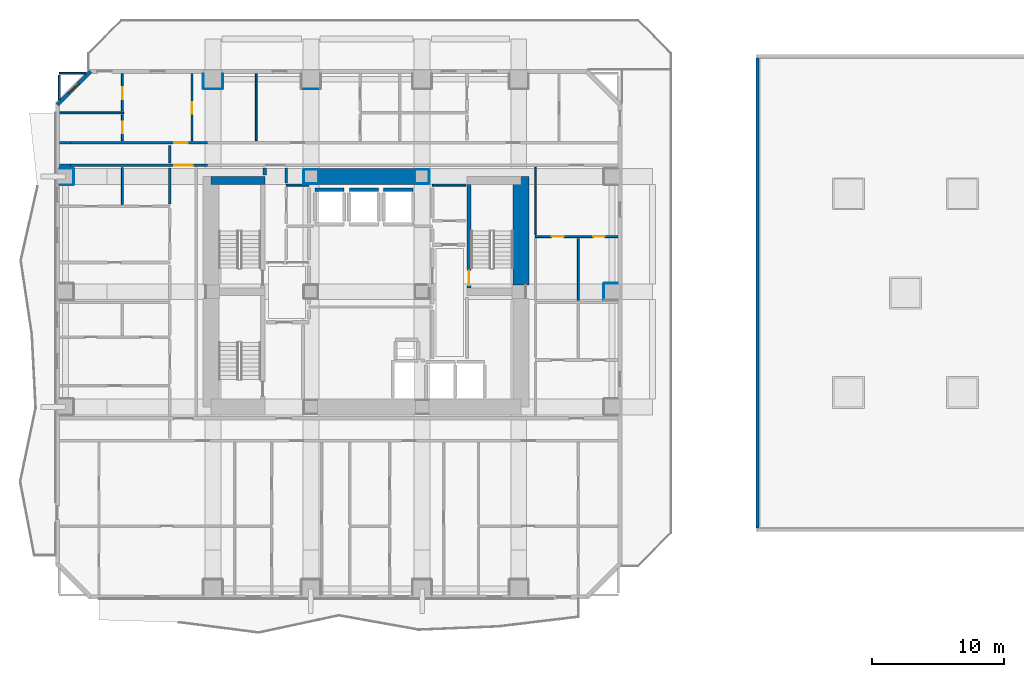
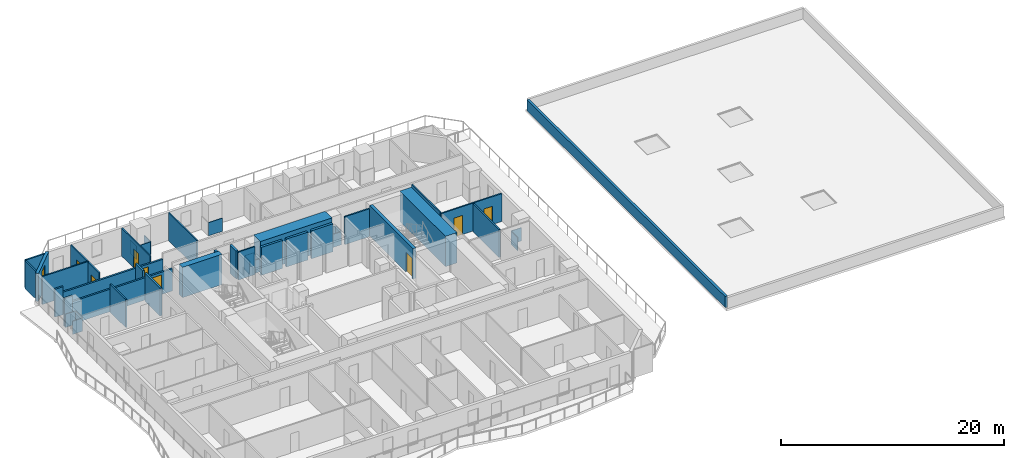
# One storey, part 7 of 13: 45 walls, 8 doors, 1 window, 9 openings.
"""IFC4 building model written with IfcOpenShell, lengths in metres."""

import ifcopenshell
import ifcopenshell.guid

model = None  # the IFC model being written
_history = None  # IfcOwnerHistory: only IFC2X3 demands one
_inside = {}  # id of a spatial element -> (the spatial element, [elements in it])
_under = {}  # id of a project, library or spatial element -> (it, [spatial elements below it])
_declared = {}  # id of a project -> (the project, [libraries it declares])
_typed = {}  # id of a type object -> (the type object, [elements of that type])
_made_of = {}  # id of a material, layer set ... -> (it, [elements and type objects made of it])


def new_model(schema):
    """Start an empty IFC model of exactly this schema.

    Asked for "IFC4X3", IfcOpenShell would pick the latest addendum, in which some entities
    have other attributes; the version numbers below select the first issue.
    IFC2X3 requires an IfcOwnerHistory on every rooted entity: one is made here for all.
    """
    global model, _history
    if schema == "IFC4X3":
        model = ifcopenshell.file(schema_version=(4, 3, 0, 0))
    else:
        model = ifcopenshell.file(schema=schema)
    _inside.clear()
    _under.clear()
    _declared.clear()
    _typed.clear()
    _made_of.clear()
    _history = None
    if model.schema == "IFC2X3":
        org = make("IfcOrganization", Name="unknown")
        user = make(
            "IfcPersonAndOrganization",
            ThePerson=make("IfcPerson", FamilyName="unknown"),
            TheOrganization=org,
        )
        app = make(
            "IfcApplication",
            ApplicationDeveloper=org,
            Version="unknown",
            ApplicationFullName="unknown",
            ApplicationIdentifier="unknown",
        )
        _history = make(
            "IfcOwnerHistory",
            OwningUser=user,
            OwningApplication=app,
            ChangeAction="ADDED",
            CreationDate=0,
        )
    return model


def make(cls, **values):
    """One entity of the class cls with the attributes given. An attribute that is None is left unset."""
    return model.create_entity(
        cls, **{name: value for name, value in values.items() if value is not None}
    )


def rooted(cls, **values):
    """An entity with a GlobalId (a new one), such as an element, a storey or a relation."""
    return make(cls, GlobalId=ifcopenshell.guid.new(), OwnerHistory=_history, **values)


def si_unit(unit_type, name, prefix=None):
    """IfcSIUnit, for example si_unit("LENGTHUNIT", "METRE", prefix="MILLI")."""
    return make("IfcSIUnit", UnitType=unit_type, Prefix=prefix, Name=name)


def assignment(units):
    """IfcUnitAssignment: the units of a project."""
    return None if units is None else make("IfcUnitAssignment", Units=units)


def point(xyz):
    """IfcCartesianPoint."""
    return None if xyz is None else make("IfcCartesianPoint", Coordinates=xyz)


def direction(xyz):
    """IfcDirection."""
    return None if xyz is None else make("IfcDirection", DirectionRatios=xyz)


def frame(location, z_axis=None, x_axis=None):
    """IfcAxis2Placement3D, a coordinate frame: its origin and axes. An axis left out is left unset."""
    return make(
        "IfcAxis2Placement3D",
        Location=point(location),
        Axis=direction(z_axis),
        RefDirection=direction(x_axis),
    )


def frame_2d(location, x_axis=None):
    """IfcAxis2Placement2D, a coordinate frame in the plane: its origin and x axis."""
    return make(
        "IfcAxis2Placement2D", Location=point(location), RefDirection=direction(x_axis)
    )


def origin():
    """The frame at (0, 0, 0) with its axes left unset."""
    return frame((0.0, 0.0, 0.0))


def place(relative_to, where):
    """IfcLocalPlacement: puts the frame where relative to a parent placement (None: the world)."""
    return make(
        "IfcLocalPlacement", PlacementRelTo=relative_to, RelativePlacement=where
    )


def context(
    kind, dimensions, precision=None, world=None, true_north=None, identifier=None
):
    """IfcGeometricRepresentationContext, for example the 3D "Model" context."""
    return make(
        "IfcGeometricRepresentationContext",
        ContextIdentifier=identifier,
        ContextType=kind,
        CoordinateSpaceDimension=dimensions,
        Precision=precision,
        WorldCoordinateSystem=world,
        TrueNorth=true_north,
    )


def subcontext(parent, identifier, kind, view, scale=None):
    """IfcGeometricRepresentationSubContext, for example "Body" below "Model"."""
    return make(
        "IfcGeometricRepresentationSubContext",
        ContextIdentifier=identifier,
        ContextType=kind,
        ParentContext=parent,
        TargetScale=scale,
        TargetView=view,
    )


def project(units=None, contexts=None):
    """IfcProject with its units and contexts."""
    return rooted(
        "IfcProject",
        Name="project",
        RepresentationContexts=contexts,
        UnitsInContext=assignment(units),
    )


def spatial(cls, under=None, at=None, **own):
    """A site, building, storey or space (cls), placed at a placement, below another one or the project."""
    s = rooted(cls, ObjectPlacement=at, **own)
    if under is not None:
        _under.setdefault(under.id(), (under, []))[1].append(s)
    return s


def profile(cls, at=None, kind="AREA", **sizes):
    """A parametric profile (cls). Its sizes go by their IFC names, for example OverallWidth=200.0."""
    return make(cls, ProfileType=kind, Position=at, **sizes)


def rectangle(**sizes):
    """IfcRectangleProfileDef."""
    return profile("IfcRectangleProfileDef", **sizes)


def extrude(swept, where, along, depth):
    """IfcExtrudedAreaSolid: the profile swept, set in the frame where, extruded along a direction by depth."""
    return make(
        "IfcExtrudedAreaSolid",
        SweptArea=swept,
        Position=where,
        ExtrudedDirection=direction(along),
        Depth=depth,
    )


def shape(context_of_items, identifier, shape_type, items):
    """IfcShapeRepresentation: the items that make up one representation, for example the "Body"."""
    return make(
        "IfcShapeRepresentation",
        ContextOfItems=context_of_items,
        RepresentationIdentifier=identifier,
        RepresentationType=shape_type,
        Items=items,
    )


def material(Name=None, Category=None):
    """IfcMaterial."""
    return make("IfcMaterial", Name=Name, Category=Category)


def layer(
    of_material, thickness, ventilated=None, Name=None, Category=None, Priority=None
):
    """IfcMaterialLayer: one layer of a wall or slab, of a material (None: an air gap)."""
    return make(
        "IfcMaterialLayer",
        Material=of_material,
        LayerThickness=thickness,
        IsVentilated=ventilated,
        Name=Name,
        Category=Category,
        Priority=Priority,
    )


def layer_set(layers, Name=None):
    """IfcMaterialLayerSet."""
    return make("IfcMaterialLayerSet", MaterialLayers=layers, LayerSetName=Name)


def made_of(thing, what):
    """Note that an element or type object is made of a material, layer set ...; save() writes the relation."""
    if what is not None:
        _made_of.setdefault(what.id(), (what, []))[1].append(thing)
    return thing


def type_object(cls, material=None, **own):
    """A type object (cls), such as IfcWallType, which elements share."""
    return made_of(rooted(cls, **own), material)


def element(
    cls,
    number,
    at=None,
    inside=None,
    cuts=None,
    type_object=None,
    material=None,
    context=None,
    identifier="Body",
    shape_type=None,
    held_by="IfcProductDefinitionShape",
    body=None,
    shapes=None,
    **own,
):
    """One element of the class cls, such as IfcWall. Its Tag is "e" and its number.

    at: its placement. inside: the storey or other place that contains it. cuts: it is an
    opening in that element (IfcRelVoidsElement). A single representation is given by context,
    identifier, shape_type and body (its items); several are given by shapes. held_by: the class
    of the entity that holds the representations. save() writes the other relations.
    """
    e = rooted(cls, Tag="e%d" % number, ObjectPlacement=at, **own)
    if body is not None:
        shapes = [shape(context, identifier, shape_type, body)]
    if shapes is not None:
        e.Representation = make(held_by, Representations=shapes)
    if inside is not None:
        _inside.setdefault(inside.id(), (inside, []))[1].append(e)
    if cuts is not None:
        rooted(
            "IfcRelVoidsElement", RelatingBuildingElement=cuts, RelatedOpeningElement=e
        )
    if type_object is not None:
        _typed.setdefault(type_object.id(), (type_object, []))[1].append(e)
    return made_of(e, material)


def fill(opening, filler):
    """IfcRelFillsElement: the door or window that sits in an opening."""
    return rooted(
        "IfcRelFillsElement",
        RelatingOpeningElement=opening,
        RelatedBuildingElement=filler,
    )


def aggregate(whole, parts):
    """IfcRelAggregates: a whole, such as a stair, and the parts it consists of."""
    return rooted("IfcRelAggregates", RelatingObject=whole, RelatedObjects=parts)


def save(model, path):
    """Write the relations noted so far, then the file.

    IfcRelAggregates (storeys below a building ...), IfcRelContainedInSpatialStructure (elements
    in a storey), IfcRelDefinesByType, IfcRelAssociatesMaterial and IfcRelDeclares: one each for
    every whole, place, type object, material and project.
    """
    for whole, parts in _under.values():
        aggregate(whole, parts)
    for where, things in _inside.values():
        rooted(
            "IfcRelContainedInSpatialStructure",
            RelatedElements=things,
            RelatingStructure=where,
        )
    for kind, things in _typed.values():
        rooted("IfcRelDefinesByType", RelatedObjects=things, RelatingType=kind)
    for what, things in _made_of.values():
        rooted("IfcRelAssociatesMaterial", RelatedObjects=things, RelatingMaterial=what)
    for by, libraries in _declared.values():
        rooted("IfcRelDeclares", RelatingContext=by, RelatedDefinitions=libraries)
    model.write(path)


model = new_model("IFC4")

# Units and contexts
model_context = context("Model", 3, precision=1e-05, world=origin(), true_north=direction((0.0, 1.0)))
body_context = subcontext(model_context, "Body", "Model", "MODEL_VIEW")
ifc_project = project(units=[si_unit("LENGTHUNIT", "METRE"), si_unit("AREAUNIT", "SQUARE_METRE"), si_unit("VOLUMEUNIT", "CUBIC_METRE"), si_unit("PLANEANGLEUNIT", "RADIAN"), si_unit("MASSUNIT", "GRAM", prefix="KILO")], contexts=[model_context])

# Site, building, storey
site_placement = place(None, origin())
site = spatial("IfcSite", under=ifc_project, at=site_placement, CompositionType="ELEMENT")
building_placement = place(site_placement, origin())
building = spatial("IfcBuilding", under=site, at=building_placement, Name="Solanera Arch Residences", CompositionType="ELEMENT")
storey_placement = place(building_placement, frame((0.0, 0.0, 22.0)))
storey = spatial("IfcBuildingStorey", under=building, at=storey_placement, Name="L05", CompositionType="ELEMENT", Elevation=22.0)

# Walls
ifc_material_1 = material(Name="Fire-Rated Gypsum Stud Partition", Category="gypsum")
ifc_layer_1 = layer(ifc_material_1, 0.06005859375)
ifc_layer_set_1 = layer_set([ifc_layer_1], Name="Fire-Rated Gypsum Stud Partition")
wall_type_1 = type_object("IfcWallType", Name="Column Acoustic Furring Wall 60", PredefinedType="PARTITIONING", material=ifc_layer_set_1)
for number, where, z_axis, x_axis, name in (
    (1, (20.300048828125, 38.867919921875, 0.0), (0.0, 0.0, 1.0), (1.0, 0.0, 0.0), "L05 Column Furring 3S"),
    (2, (20.300048828125, 39.931884765625, 0.0), (0.0, 0.0, 1.0), (1.0, 0.0, 0.0), "L05 Column Furring 3N"),
):
    element("IfcWall", number, at=place(storey_placement, frame(where, z_axis=z_axis, x_axis=x_axis)), inside=storey, type_object=wall_type_1, Name=name, PredefinedType="PARTITIONING", context=body_context, shape_type="SweptSolid", body=[
        extrude(rectangle(XDim=0.989990234375, YDim=0.06005859375, at=frame_2d((0.4951171875, 0.0))), origin(), (0.0, 0.0, 1.0), 1.449951171875),
    ])
wall_1_placement = place(storey_placement, frame((20.26806640625, 38.89990234375, 0.0), z_axis=(0.0, 0.0, 1.0), x_axis=(0.0, 1.0, 0.0)))
element("IfcWall", 3, at=wall_1_placement, inside=storey, type_object=wall_type_1, Name="L05 Column Furring 3W", PredefinedType="PARTITIONING", context=body_context, shape_type="SweptSolid", body=[
    extrude(rectangle(XDim=1.0, YDim=0.06005859375, at=frame_2d((0.5, 0.0))), origin(), (0.0, 0.0, 1.0), 1.449951171875),
])
for number, where, z_axis, x_axis, name in (
    (4, (28.7099609375, 38.867919921875, 0.0), (0.0, 0.0, 1.0), (1.0, 0.0, 0.0), "L05 Column Furring 4S"),
    (5, (28.7099609375, 39.931884765625, 0.0), (0.0, 0.0, 1.0), (1.0, 0.0, 0.0), "L05 Column Furring 4N"),
):
    element("IfcWall", number, at=place(storey_placement, frame(where, z_axis=z_axis, x_axis=x_axis)), inside=storey, type_object=wall_type_1, Name=name, PredefinedType="PARTITIONING", context=body_context, shape_type="SweptSolid", body=[
        extrude(rectangle(XDim=0.989990234375, YDim=0.06005859375, at=frame_2d((0.4951171875, 0.0))), origin(), (0.0, 0.0, 1.0), 1.449951171875),
    ])
wall_2_placement = place(storey_placement, frame((29.73193359375, 38.89990234375, 0.0), z_axis=(0.0, 0.0, 1.0), x_axis=(0.0, 1.0, 0.0)))
element("IfcWall", 6, at=wall_2_placement, inside=storey, type_object=wall_type_1, Name="L05 Column Furring 4E", PredefinedType="PARTITIONING", context=body_context, shape_type="SweptSolid", body=[
    extrude(rectangle(XDim=1.0, YDim=0.06005859375, at=frame_2d((0.5, 0.0))), origin(), (0.0, 0.0, 1.0), 1.449951171875),
])
wall_3_placement = place(storey_placement, frame((12.699951171875, 46.01806640625, 0.0), z_axis=(0.0, 0.0, 1.0), x_axis=(1.0, 0.0, 0.0)))
element("IfcWall", 7, at=wall_3_placement, inside=storey, type_object=wall_type_1, Name="L05 Column Furring 10S", PredefinedType="PARTITIONING", context=body_context, shape_type="SweptSolid", body=[
    extrude(rectangle(XDim=1.400146484375, YDim=0.06005859375, at=frame_2d((0.7001953125, 0.0))), origin(), (0.0, 0.0, 1.0), 1.449951171875),
])
for number, where, z_axis, x_axis, name in (
    (8, (12.66796875, 46.050048828125, 0.0), (0.0, 0.0, 1.0), (0.0, 1.0, 0.0), "L05 Column Furring 10W"),
    (9, (14.132080078125, 46.050048828125, 0.0), (0.0, 0.0, 1.0), (0.0, 1.0, 0.0), "L05 Column Furring 10E"),
):
    element("IfcWall", number, at=place(storey_placement, frame(where, z_axis=z_axis, x_axis=x_axis)), inside=storey, type_object=wall_type_1, Name=name, PredefinedType="PARTITIONING", context=body_context, shape_type="SweptSolid", body=[
        extrude(rectangle(XDim=1.119873046875, YDim=0.06005859375, at=frame_2d((0.56005859375, 0.0))), origin(), (0.0, 0.0, 1.0), 1.449951171875),
    ])
wall_4_placement = place(storey_placement, frame((20.10009765625, 46.01806640625, 0.0), z_axis=(0.0, 0.0, 1.0), x_axis=(1.0, 0.0, 0.0)))
element("IfcWall", 10, at=wall_4_placement, inside=storey, type_object=wall_type_1, Name="L05 Column Furring 12S", PredefinedType="PARTITIONING", context=body_context, shape_type="SweptSolid", body=[
    extrude(rectangle(XDim=1.39990234375, YDim=0.06005859375, at=frame_2d((0.699951171875, 0.0))), origin(), (0.0, 0.0, 1.0), 1.449951171875),
])
wall_5_placement = place(storey_placement, frame((42.949951171875, 31.33203125, 0.0), z_axis=(0.0, 0.0, 1.0), x_axis=(1.0, 0.0, 0.0)))
element("IfcWall", 11, at=wall_5_placement, inside=storey, type_object=wall_type_1, Name="L05 Column Furring 20N", PredefinedType="PARTITIONING", context=body_context, shape_type="SweptSolid", body=[
    extrude(rectangle(XDim=1.02001953125, YDim=0.06005859375, at=frame_2d((0.510009765625, 0.0))), origin(), (0.0, 0.0, 1.0), 1.449951171875),
])
wall_6_placement = place(storey_placement, frame((42.91796875, 30.10009765625, 0.0), z_axis=(0.0, 0.0, 1.0), x_axis=(0.0, 1.0, 0.0)))
element("IfcWall", 12, at=wall_6_placement, inside=storey, type_object=wall_type_1, Name="L05 Column Furring 20W", PredefinedType="PARTITIONING", context=body_context, shape_type="SweptSolid", body=[
    extrude(rectangle(XDim=1.199951171875, YDim=0.06005859375, at=frame_2d((0.60009765625, 0.0))), origin(), (0.0, 0.0, 1.0), 1.449951171875),
])
for number, where, z_axis, x_axis, name in (
    (13, (1.830078125, 38.76806640625, 0.0), (0.0, 0.0, 1.0), (1.0, 0.0, 0.0), "L05 Column Furring 21S"),
    (14, (1.830078125, 40.031982421875, 0.0), (0.0, 0.0, 1.0), (1.0, 0.0, 0.0), "L05 Column Furring 21N"),
):
    element("IfcWall", number, at=place(storey_placement, frame(where, z_axis=z_axis, x_axis=x_axis)), inside=storey, type_object=wall_type_1, Name=name, PredefinedType="PARTITIONING", context=body_context, shape_type="SweptSolid", body=[
        extrude(rectangle(XDim=1.02001953125, YDim=0.06005859375, at=frame_2d((0.510009765625, 0.0))), origin(), (0.0, 0.0, 1.0), 1.449951171875),
    ])
wall_7_placement = place(storey_placement, frame((2.882080078125, 38.800048828125, 0.0), z_axis=(0.0, 0.0, 1.0), x_axis=(0.0, 1.0, 0.0)))
element("IfcWall", 15, at=wall_7_placement, inside=storey, type_object=wall_type_1, Name="L05 Column Furring 21E", PredefinedType="PARTITIONING", context=body_context, shape_type="SweptSolid", body=[
    extrude(rectangle(XDim=1.199951171875, YDim=0.06005859375, at=frame_2d((0.60009765625, 0.0))), origin(), (0.0, 0.0, 1.0), 1.449951171875),
])
ifc_material_2 = material(Name="Concrete C55/67 (f'c = 60 MPa)", Category="concrete")
ifc_layer_2 = layer(ifc_material_2, 1.199951171875)
ifc_layer_set_2 = layer_set([ifc_layer_2], Name="Concrete C55/67 (f'c = 60 MPa)")
wall_type_2 = type_object("IfcWallType", Name="Core Shear Wall CW-1200", PredefinedType="SHEAR", material=ifc_layer_set_2)
wall_8_placement = place(storey_placement, frame((36.659912109375, 31.205078125, 0.0), z_axis=(0.0, 0.0, 1.0), x_axis=(0.0, 1.0, 0.0)))
element("IfcWall", 16, at=wall_8_placement, inside=storey, type_object=wall_type_2, Name="L05 East Core North Shear Wall", PredefinedType="SHEAR", context=body_context, shape_type="SweptSolid", body=[
    extrude(rectangle(XDim=8.19482421875, YDim=1.199951171875, at=frame_2d((4.097412109375, 0.0))), origin(), (0.0, 0.0, 1.0), 3.320068359375),
])
wall_9_placement = place(storey_placement, frame((21.304931640625, 39.39990234375, 0.0), z_axis=(0.0, 0.0, 1.0), x_axis=(1.0, 0.0, 0.0)))
element("IfcWall", 17, at=wall_9_placement, inside=storey, type_object=wall_type_2, Name="L05 Central North Core Shear Wall", PredefinedType="SHEAR", context=body_context, shape_type="SweptSolid", body=[
    extrude(rectangle(XDim=7.39013671875, YDim=1.199951171875, at=frame_2d((3.695068359375, 0.0))), origin(), (0.0, 0.0, 1.0), 3.320068359375),
])

# Wall, opening, door
ifc_material_3 = material(Name="Concrete C40/50 (f'c = 45 MPa)", Category="concrete")
ifc_layer_3 = layer(ifc_material_3, 0.320068359375)
ifc_layer_set_3 = layer_set([ifc_layer_3], Name="Concrete C40/50 (f'c = 45 MPa)")
wall_type_3 = type_object("IfcWallType", Name="Core Shear Wall CW-320", PredefinedType="SHEAR", material=ifc_layer_set_3)
wall_10_placement = place(storey_placement, frame((32.739990234375, 31.0, 0.0), z_axis=(0.0, 0.0, 1.0), x_axis=(0.0, 1.0, 0.0)))
wall_10 = element("IfcWall", 18, at=wall_10_placement, inside=storey, type_object=wall_type_3, Name="L05 Stair ST-T2 West Shear Wall", PredefinedType="SHEAR", context=body_context, shape_type="SweptSolid", body=[
    extrude(rectangle(XDim=7.800048828125, YDim=0.320068359375, at=frame_2d((3.89990234375, 0.0))), origin(), (0.0, 0.0, 1.0), 3.320068359375),
])
opening_1_placement = place(wall_10_placement, frame((0.18994140625, 0.0, 0.0)))
opening_1 = element("IfcOpeningElement", 19, at=opening_1_placement, cuts=wall_10, Name="Opening DF-01", PredefinedType="OPENING", context=body_context, shape_type="SweptSolid", body=[
    extrude(rectangle(XDim=1.10009765625, YDim=2.14990234375, at=frame_2d((0.550048828125, 1.074951171875))), frame((0.0, 0.169921875, 0.0), z_axis=(0.0, -1.0, 0.0), x_axis=(1.0, 0.0, 0.0)), (0.0, 0.0, 1.0), 0.3401),
])
ifc_material_4 = material(Name="Fire-Rated Architectural Hardwood", Category="wood")
door_type_1 = type_object("IfcDoorType", Name="Stair Exit Fire Door DF-01", OperationType="NOTDEFINED", PredefinedType="DOOR", material=ifc_material_4)
door_1_placement = place(opening_1_placement, origin())
door_1 = element("IfcDoor", 20, at=door_1_placement, inside=storey, type_object=door_type_1, Name="DR-L05-STAIR-ST-T2", OperationType="SINGLE_SWING_LEFT", OverallHeight=2.14990234375, OverallWidth=1.10009765625, PredefinedType="DOOR", context=body_context, shape_type="SweptSolid", body=[
    extrude(rectangle(XDim=1.10009765625, YDim=2.14990234375, at=frame_2d((0.550048828125, 1.074951171875))), frame((0.0, 0.02490234375, 0.0), z_axis=(0.0, -1.0, 0.0), x_axis=(1.0, 0.0, 0.0)), (0.0, 0.0, 1.0), 0.050048828125),
])
fill(opening_1, door_1)

# Walls
ifc_material_5 = material(Name="Concrete C40/50 (f'c = 45 MPa)", Category="concrete")
ifc_layer_4 = layer(ifc_material_5, 0.60009765625)
ifc_layer_set_4 = layer_set([ifc_layer_4], Name="Concrete C40/50 (f'c = 45 MPa)")
wall_type_4 = type_object("IfcWallType", Name="Core Shear Wall CW-600", PredefinedType="SHEAR", material=ifc_layer_set_4)
wall_11_placement = place(storey_placement, frame((13.239990234375, 39.10009765625, 0.0), z_axis=(0.0, 0.0, 1.0), x_axis=(1.0, 0.0, 0.0)))
element("IfcWall", 21, at=wall_11_placement, inside=storey, type_object=wall_type_4, Name="L05 North-West Core Shear Wall", PredefinedType="SHEAR", context=body_context, shape_type="SweptSolid", body=[
    extrude(rectangle(XDim=4.080078125, YDim=0.60009765625, at=frame_2d((2.0400390625, 0.0))), origin(), (0.0, 0.0, 1.0), 3.320068359375),
])
ifc_material_6 = material(Name="Autoclaved Aerated Concrete Blockwork", Category="masonry")
ifc_layer_5 = layer(ifc_material_6, 0.179931640625)
ifc_layer_set_5 = layer_set([ifc_layer_5], Name="Autoclaved Aerated Concrete Blockwork")
wall_type_5 = type_object("IfcWallType", Name="Corridor Fire Partition 180", PredefinedType="PARTITIONING", material=ifc_layer_set_5)
wall_12_placement = place(storey_placement, frame((1.826904296875, 40.25, 0.0), z_axis=(0.0, 0.0, 1.0), x_axis=(1.0, 0.0, 0.0)))
element("IfcWall", 22, at=wall_12_placement, inside=storey, type_object=wall_type_5, Name="L05 Interior Partition H12 1", PredefinedType="PARTITIONING", context=body_context, shape_type="SweptSolid", body=[
    extrude(rectangle(XDim=0.833984375, YDim=0.179931640625, at=frame_2d((0.4169921875, 0.0))), origin(), (0.0, 0.0, 1.0), 3.06005859375),
])

# Wall, opening, door
wall_13_placement = place(storey_placement, frame((2.660888671875, 40.25, 0.0), z_axis=(0.0, 0.0, 1.0), x_axis=(1.0, 0.0, 0.0)))
wall_13 = element("IfcWall", 23, at=wall_13_placement, inside=storey, type_object=wall_type_5, Name="L05 Interior Partition H12 2", PredefinedType="PARTITIONING", context=body_context, shape_type="SweptSolid", body=[
    extrude(rectangle(XDim=10.328125, YDim=0.179931640625, at=frame_2d((5.1640625, 0.0))), origin(), (0.0, 0.0, 1.0), 2.445068359375),
])
opening_2_placement = place(wall_13_placement, frame((7.81298828125, 0.0, 0.0)))
opening_2 = element("IfcOpeningElement", 24, at=opening_2_placement, cuts=wall_13, Name="Opening DF-03", PredefinedType="OPENING", context=body_context, shape_type="SweptSolid", body=[
    extrude(rectangle(XDim=1.39990234375, YDim=2.14990234375, at=frame_2d((0.699951171875, 1.074951171875))), frame((0.0, 0.10009765625, 0.0), z_axis=(0.0, -1.0, 0.0), x_axis=(1.0, 0.0, 0.0)), (0.0, 0.0, 1.0), 0.1999),
])
ifc_material_7 = material(Name="Fire-Rated Architectural Hardwood", Category="wood")
door_type_2 = type_object("IfcDoorType", Name="Corridor Smoke Door DF-03", OperationType="NOTDEFINED", PredefinedType="DOOR", material=ifc_material_7)
door_2_placement = place(opening_2_placement, origin())
door_2 = element("IfcDoor", 25, at=door_2_placement, inside=storey, type_object=door_type_2, Name="DR-L05-IN-011", OperationType="SINGLE_SWING_RIGHT", OverallHeight=2.14990234375, OverallWidth=1.39990234375, PredefinedType="DOOR", context=body_context, shape_type="SweptSolid", body=[
    extrude(rectangle(XDim=1.39990234375, YDim=2.14990234375, at=frame_2d((0.699951171875, 1.074951171875))), frame((0.0, 0.02490234375, 0.0), z_axis=(0.0, -1.0, 0.0), x_axis=(1.0, 0.0, 0.0)), (0.0, 0.0, 1.0), 0.050048828125),
])
fill(opening_2, door_2)

# Wall
wall_14_placement = place(storey_placement, frame((1.826904296875, 41.949951171875, 0.0), z_axis=(0.0, 0.0, 1.0), x_axis=(1.0, 0.0, 0.0)))
element("IfcWall", 26, at=wall_14_placement, inside=storey, type_object=wall_type_5, Name="L05 Interior Partition H13 1", PredefinedType="PARTITIONING", context=body_context, shape_type="SweptSolid", body=[
    extrude(rectangle(XDim=0.833984375, YDim=0.179931640625, at=frame_2d((0.4169921875, 0.0))), origin(), (0.0, 0.0, 1.0), 3.06005859375),
])

# Wall, opening, door
wall_15_placement = place(storey_placement, frame((2.660888671875, 41.949951171875, 0.0), z_axis=(0.0, 0.0, 1.0), x_axis=(1.0, 0.0, 0.0)))
wall_15 = element("IfcWall", 27, at=wall_15_placement, inside=storey, type_object=wall_type_5, Name="L05 Interior Partition H13 2", PredefinedType="PARTITIONING", context=body_context, shape_type="SweptSolid", body=[
    extrude(rectangle(XDim=10.328125, YDim=0.179931640625, at=frame_2d((5.1640625, 0.0))), origin(), (0.0, 0.0, 1.0), 2.445068359375),
])
opening_3_placement = place(wall_15_placement, frame((7.833984375, 0.0, 0.0)))
opening_3 = element("IfcOpeningElement", 28, at=opening_3_placement, cuts=wall_15, Name="Opening DI-01", PredefinedType="OPENING", context=body_context, shape_type="SweptSolid", body=[
    extrude(rectangle(XDim=1.0, YDim=2.14990234375, at=frame_2d((0.5, 1.074951171875))), frame((0.0, 0.10009765625, 0.0), z_axis=(0.0, -1.0, 0.0), x_axis=(1.0, 0.0, 0.0)), (0.0, 0.0, 1.0), 0.1999),
])
ifc_material_8 = material(Name="Fire-Rated Architectural Hardwood", Category="wood")
door_type_3 = type_object("IfcDoorType", Name="Unit Entrance Fire Door DI-01", OperationType="NOTDEFINED", PredefinedType="DOOR", material=ifc_material_8)
door_3_placement = place(opening_3_placement, origin())
door_3 = element("IfcDoor", 29, at=door_3_placement, inside=storey, type_object=door_type_3, Name="DR-L05-IN-031", OperationType="SINGLE_SWING_RIGHT", OverallHeight=2.14990234375, OverallWidth=1.0, PredefinedType="DOOR", context=body_context, shape_type="SweptSolid", body=[
    extrude(rectangle(XDim=1.0, YDim=2.14990234375, at=frame_2d((0.5, 1.074951171875))), frame((0.0, 0.02490234375, 0.0), z_axis=(0.0, -1.0, 0.0), x_axis=(1.0, 0.0, 0.0)), (0.0, 0.0, 1.0), 0.050048828125),
])
fill(opening_3, door_3)

# Walls
wall_16_placement = place(storey_placement, frame((10.14990234375, 37.31298828125, 0.0), z_axis=(0.0, 0.0, 1.0), x_axis=(0.0, 1.0, 0.0)))
element("IfcWall", 30, at=wall_16_placement, inside=storey, type_object=wall_type_5, Name="L05 Interior Partition V8 7", PredefinedType="PARTITIONING", context=body_context, shape_type="SweptSolid", body=[
    extrude(rectangle(XDim=2.7490234375, YDim=0.179931640625, at=frame_2d((1.37451171875, 0.0))), origin(), (0.0, 0.0, 1.0), 3.06005859375),
])
wall_17_placement = place(storey_placement, frame((10.14990234375, 40.43798828125, 0.0), z_axis=(0.0, 0.0, 1.0), x_axis=(0.0, 1.0, 0.0)))
element("IfcWall", 31, at=wall_17_placement, inside=storey, type_object=wall_type_5, Name="L05 Interior Partition V8 8", PredefinedType="PARTITIONING", context=body_context, shape_type="SweptSolid", body=[
    extrude(rectangle(XDim=1.323974609375, YDim=0.179931640625, at=frame_2d((0.662109375, 0.0))), origin(), (0.0, 0.0, 1.0), 3.06005859375),
])

# Wall, opening, window
ifc_material_9 = material(Name="Precast Concrete C35/45", Category="concrete")
ifc_layer_6 = layer(ifc_material_9, 0.300048828125)
ifc_layer_set_6 = layer_set([ifc_layer_6], Name="Precast Concrete C35/45")
wall_type_6 = type_object("IfcWallType", Name="Exterior Wall Precast Masonry-Frame 300", PredefinedType="STANDARD", material=ifc_layer_set_6)
wall_18_placement = place(storey_placement, frame((1.6650390625, 44.8349609375, 0.0), z_axis=(0.0, 0.0, 1.0), x_axis=(0.707106781187, 0.707106781187, 0.0)))
wall_18 = element("IfcWall", 32, at=wall_18_placement, inside=storey, type_object=wall_type_6, Name="L05 Tower Exterior Precast Masonry-Frame Wall CH1", PredefinedType="STANDARD", context=body_context, shape_type="SweptSolid", body=[
    extrude(rectangle(XDim=3.53564453125, YDim=0.300048828125, at=frame_2d((1.767822265625, 0.0))), origin(), (0.0, 0.0, 1.0), 3.06005859375),
])
opening_4_placement = place(wall_18_placement, frame((1.219970703125, 0.0, 0.85009765625)))
opening_4 = element("IfcOpeningElement", 33, at=opening_4_placement, cuts=wall_18, Name="Opening W-07", PredefinedType="OPENING", context=body_context, shape_type="SweptSolid", body=[
    extrude(rectangle(XDim=1.050048828125, YDim=1.64990234375, at=frame_2d((0.52490234375, 0.824951171875))), frame((0.0, 0.159912109375, 0.0), z_axis=(0.0, -1.0, 0.0), x_axis=(1.0, 0.0, 0.0)), (0.0, 0.0, 1.0), 0.32),
])
ifc_material_10 = material(Name="Double Glazed Low-E Laminated Glass", Category="glass")
window_type = type_object("IfcWindowType", Name="Punched Window W-07", PartitioningType="SINGLE_PANEL", PredefinedType="WINDOW", material=ifc_material_10)
window_placement = place(opening_4_placement, origin())
window = element("IfcWindow", 34, at=window_placement, inside=storey, type_object=window_type, Name="L05 0505-BR1 Corner Punched Window", OverallHeight=1.64990234375, OverallWidth=1.050048828125, PartitioningType="SINGLE_PANEL", PredefinedType="WINDOW", context=body_context, shape_type="SweptSolid", body=[
    extrude(rectangle(XDim=1.050048828125, YDim=1.64990234375, at=frame_2d((0.52490234375, 0.824951171875))), frame((0.0, 0.030029296875, 0.0), z_axis=(0.0, -1.0, 0.0), x_axis=(1.0, 0.0, 0.0)), (0.0, 0.0, 1.0), 0.06005859375),
])
fill(opening_4, window)

# Walls
ifc_material_11 = material(Name="Precast Concrete C35/45", Category="concrete")
ifc_layer_7 = layer(ifc_material_11, 0.239990234375)
ifc_layer_set_7 = layer_set([ifc_layer_7], Name="Precast Concrete C35/45")
wall_type_7 = type_object("IfcWallType", Name="Parapet Wall Precast 240", PredefinedType="PARAPET", material=ifc_layer_set_7)
wall_19_placement = place(storey_placement, frame((54.52001953125, 12.840087890625, 0.239990234375), z_axis=(0.0, 0.0, 1.0), x_axis=(0.0, 1.0, 0.0)))
element("IfcWall", 35, at=wall_19_placement, inside=storey, type_object=wall_type_7, Name="Sports Hall Roof Parapet Wall W", PredefinedType="PARAPET", context=body_context, shape_type="SweptSolid", body=[
    extrude(rectangle(XDim=35.52001953125, YDim=0.239990234375, at=frame_2d((17.760009765625, 0.0))), origin(), (0.0, 0.0, 1.0), 1.199951171875),
])
ifc_material_12 = material(Name="Autoclaved Aerated Concrete Blockwork", Category="masonry")
ifc_layer_8 = layer(ifc_material_12, 0.199951171875)
ifc_layer_set_8 = layer_set([ifc_layer_8], Name="Autoclaved Aerated Concrete Blockwork")
wall_type_8 = type_object("IfcWallType", Name="Party Wall Acoustic 200", PredefinedType="PARTITIONING", material=ifc_layer_set_8)
wall_20_placement = place(storey_placement, frame((18.949951171875, 38.927978515625, 0.0), z_axis=(0.0, 0.0, 1.0), x_axis=(0.0, 1.0, 0.0)))
element("IfcWall", 36, at=wall_20_placement, inside=storey, type_object=wall_type_8, Name="L05 Interior Partition V7 3", PredefinedType="PARTITIONING", context=body_context, shape_type="SweptSolid", body=[
    extrude(rectangle(XDim=1.1240234375, YDim=0.199951171875, at=frame_2d((0.56201171875, 0.0))), origin(), (0.0, 0.0, 1.0), 3.06005859375),
])
ifc_material_13 = material(Name="Autoclaved Aerated Concrete Blockwork", Category="masonry")
ifc_layer_9 = layer(ifc_material_13, 0.239990234375)
ifc_layer_set_9 = layer_set([ifc_layer_9], Name="Autoclaved Aerated Concrete Blockwork")
wall_type_9 = type_object("IfcWallType", Name="Shaft Wall Fire-Rated 240", PredefinedType="PARTITIONING", material=ifc_layer_set_9)
for number, where, z_axis, x_axis, name in (
    (37, (21.10009765625, 38.39990234375, 0.0), (0.0, 0.0, 1.0), (1.0, 0.0, 0.0), "L05 Lift PL-L1 Hoistway Wall N"),
    (38, (23.699951171875, 38.39990234375, 0.0), (0.0, 0.0, 1.0), (1.0, 0.0, 0.0), "L05 Lift PL-L2 Hoistway Wall N"),
    (39, (26.300048828125, 38.39990234375, 0.0), (0.0, 0.0, 1.0), (1.0, 0.0, 0.0), "L05 Lift PL-L3 Hoistway Wall N"),
):
    element("IfcWall", number, at=place(storey_placement, frame(where, z_axis=z_axis, x_axis=x_axis)), inside=storey, type_object=wall_type_9, Name=name, PredefinedType="PARTITIONING", context=body_context, shape_type="SweptSolid", body=[
        extrude(rectangle(XDim=2.199951171875, YDim=0.239990234375, at=frame_2d((1.10009765625, 0.0))), origin(), (0.0, 0.0, 1.0), 3.06005859375),
    ])
wall_21_placement = place(storey_placement, frame((17.320068359375, 39.530029296875, 0.0), z_axis=(0.0, 0.0, 1.0), x_axis=(0.0, 1.0, 0.0)))
element("IfcWall", 40, at=wall_21_placement, inside=storey, type_object=wall_type_9, Name="L05 Interior Partition V1", PredefinedType="PARTITIONING", context=body_context, shape_type="SweptSolid", body=[
    extrude(rectangle(XDim=0.501953125, YDim=0.239990234375, at=frame_2d((0.2509765625, 0.0))), origin(), (0.0, 0.0, 1.0), 3.06005859375),
])

# Wall, opening, door
ifc_material_14 = material(Name="Fire-Rated Gypsum Stud Partition", Category="gypsum")
ifc_layer_10 = layer(ifc_material_14, 0.1201171875)
ifc_layer_set_10 = layer_set([ifc_layer_10], Name="Fire-Rated Gypsum Stud Partition")
wall_type_10 = type_object("IfcWallType", Name="Unit Drywall Partition 120", PredefinedType="PARTITIONING", material=ifc_layer_set_10)
wall_22_placement = place(storey_placement, frame((11.820068359375, 42.10791015625, 0.0), z_axis=(0.0, 0.0, 1.0), x_axis=(0.0, 1.0, 0.0)))
wall_22 = element("IfcWall", 41, at=wall_22_placement, inside=storey, type_object=wall_type_10, Name="L05 Interior Partition V26", PredefinedType="PARTITIONING", context=body_context, shape_type="SweptSolid", body=[
    extrude(rectangle(XDim=5.065185546875, YDim=0.1201171875, at=frame_2d((2.53271484375, 0.0))), origin(), (0.0, 0.0, 1.0), 3.06005859375),
])
opening_5_placement = place(wall_22_placement, frame((2.01708984375, 0.0, 0.0)))
opening_5 = element("IfcOpeningElement", 42, at=opening_5_placement, cuts=wall_22, Name="Opening DI-02", PredefinedType="OPENING", context=body_context, shape_type="SweptSolid", body=[
    extrude(rectangle(XDim=0.89990234375, YDim=2.10009765625, at=frame_2d((0.449951171875, 1.050048828125))), frame((0.0, 0.070068359375, 0.0), z_axis=(0.0, -1.0, 0.0), x_axis=(1.0, 0.0, 0.0)), (0.0, 0.0, 1.0), 0.1401),
])
ifc_material_15 = material(Name="Fire-Rated Architectural Hardwood", Category="wood")
door_type_4 = type_object("IfcDoorType", Name="Suite Room Swing Door DI-02", OperationType="NOTDEFINED", PredefinedType="DOOR", material=ifc_material_15)
door_4_placement = place(opening_5_placement, origin())
door_4 = element("IfcDoor", 43, at=door_4_placement, inside=storey, type_object=door_type_4, Name="DR-L05-IN-034", OperationType="SINGLE_SWING_LEFT", OverallHeight=2.10009765625, OverallWidth=0.89990234375, PredefinedType="DOOR", context=body_context, shape_type="SweptSolid", body=[
    extrude(rectangle(XDim=0.89990234375, YDim=2.10009765625, at=frame_2d((0.449951171875, 1.050048828125))), frame((0.0, 0.02490234375, 0.0), z_axis=(0.0, -1.0, 0.0), x_axis=(1.0, 0.0, 0.0)), (0.0, 0.0, 1.0), 0.050048828125),
])
fill(opening_5, door_4)

# Walls
wall_23_placement = place(storey_placement, frame((16.673095703125, 42.10791015625, 0.0), z_axis=(0.0, 0.0, 1.0), x_axis=(0.0, 1.0, 0.0)))
element("IfcWall", 44, at=wall_23_placement, inside=storey, type_object=wall_type_10, Name="L05 Interior Partition V27", PredefinedType="PARTITIONING", context=body_context, shape_type="SweptSolid", body=[
    extrude(rectangle(XDim=5.065185546875, YDim=0.1201171875, at=frame_2d((2.53271484375, 0.0))), origin(), (0.0, 0.0, 1.0), 3.06005859375),
])
wall_24_placement = place(storey_placement, frame((37.75, 35.006103515625, 0.0), z_axis=(0.0, 0.0, 1.0), x_axis=(0.0, 1.0, 0.0)))
element("IfcWall", 45, at=wall_24_placement, inside=storey, type_object=wall_type_10, Name="L05 Interior Partition V31 4", PredefinedType="PARTITIONING", context=body_context, shape_type="SweptSolid", body=[
    extrude(rectangle(XDim=5.0859375, YDim=0.1201171875, at=frame_2d((2.54296875, 0.0))), origin(), (0.0, 0.0, 1.0), 3.06005859375),
])

# Wall, openings, doors
ifc_material_16 = material(Name="Autoclaved Aerated Concrete Blockwork", Category="masonry")
ifc_layer_11 = layer(ifc_material_16, 0.139892578125)
ifc_layer_set_11 = layer_set([ifc_layer_11], Name="Autoclaved Aerated Concrete Blockwork")
wall_type_11 = type_object("IfcWallType", Name="Wet-Room Partition 140", PredefinedType="PARTITIONING", material=ifc_layer_set_11)
wall_25_placement = place(storey_placement, frame((37.75, 34.867919921875, 0.0), z_axis=(0.0, 0.0, 1.0), x_axis=(1.0, 0.0, 0.0)))
wall_25 = element("IfcWall", 46, at=wall_25_placement, inside=storey, type_object=wall_type_11, Name="L05 Interior Partition H21", PredefinedType="PARTITIONING", context=body_context, shape_type="SweptSolid", body=[
    extrude(rectangle(XDim=6.222900390625, YDim=0.139892578125, at=frame_2d((3.111328125, 0.0))), origin(), (0.0, 0.0, 1.0), 3.06005859375),
])
opening_6_placement = place(wall_25_placement, frame((1.25, 0.0, 0.0)))
opening_6 = element("IfcOpeningElement", 47, at=opening_6_placement, cuts=wall_25, Name="Opening DI-02", PredefinedType="OPENING", context=body_context, shape_type="SweptSolid", body=[
    extrude(rectangle(XDim=0.89990234375, YDim=2.10009765625, at=frame_2d((0.449951171875, 1.050048828125))), frame((0.0, 0.079833984375, 0.0), z_axis=(0.0, -1.0, 0.0), x_axis=(1.0, 0.0, 0.0)), (0.0, 0.0, 1.0), 0.1599),
])
opening_7_placement = place(wall_25_placement, frame((4.3701171875, 0.0, 0.0)))
opening_7 = element("IfcOpeningElement", 48, at=opening_7_placement, cuts=wall_25, Name="Opening DI-05", PredefinedType="OPENING", context=body_context, shape_type="SweptSolid", body=[
    extrude(rectangle(XDim=0.860107421875, YDim=2.02001953125, at=frame_2d((0.43017578125, 1.010009765625))), frame((0.0, 0.079833984375, 0.0), z_axis=(0.0, -1.0, 0.0), x_axis=(1.0, 0.0, 0.0)), (0.0, 0.0, 1.0), 0.1599),
])
ifc_material_17 = material(Name="Fire-Rated Architectural Hardwood", Category="wood")
door_type_5 = type_object("IfcDoorType", Name="Bathroom Swing Door DI-05", OperationType="NOTDEFINED", PredefinedType="DOOR", material=ifc_material_17)
door_5_placement = place(opening_7_placement, origin())
door_5 = element("IfcDoor", 49, at=door_5_placement, inside=storey, type_object=door_type_5, Name="DR-L05-IN-055", OperationType="SINGLE_SWING_RIGHT", OverallHeight=2.02001953125, OverallWidth=0.860107421875, PredefinedType="DOOR", context=body_context, shape_type="SweptSolid", body=[
    extrude(rectangle(XDim=0.860107421875, YDim=2.02001953125, at=frame_2d((0.43017578125, 1.010009765625))), frame((0.0, 0.02490234375, 0.0), z_axis=(0.0, -1.0, 0.0), x_axis=(1.0, 0.0, 0.0)), (0.0, 0.0, 1.0), 0.050048828125),
])
fill(opening_7, door_5)
door_6_placement = place(opening_6_placement, origin())
door_6 = element("IfcDoor", 50, at=door_6_placement, inside=storey, type_object=door_type_4, Name="DR-L05-IN-054", OperationType="SINGLE_SWING_LEFT", OverallHeight=2.10009765625, OverallWidth=0.89990234375, PredefinedType="DOOR", context=body_context, shape_type="SweptSolid", body=[
    extrude(rectangle(XDim=0.89990234375, YDim=2.10009765625, at=frame_2d((0.449951171875, 1.050048828125))), frame((0.0, 0.02490234375, 0.0), z_axis=(0.0, -1.0, 0.0), x_axis=(1.0, 0.0, 0.0)), (0.0, 0.0, 1.0), 0.050048828125),
])
fill(opening_6, door_6)

# Walls
wall_26_placement = place(storey_placement, frame((18.949951171875, 38.75, 0.0), z_axis=(0.0, 0.0, 1.0), x_axis=(1.0, 0.0, 0.0)))
element("IfcWall", 51, at=wall_26_placement, inside=storey, type_object=wall_type_11, Name="L05 Interior Partition H23", PredefinedType="PARTITIONING", context=body_context, shape_type="SweptSolid", body=[
    extrude(rectangle(XDim=1.699951171875, YDim=0.139892578125, at=frame_2d((0.85009765625, 0.0))), origin(), (0.0, 0.0, 1.0), 3.06005859375),
])
wall_27_placement = place(storey_placement, frame((29.97509765625, 38.75, 0.0), z_axis=(0.0, 0.0, 1.0), x_axis=(1.0, 0.0, 0.0)))
element("IfcWall", 52, at=wall_27_placement, inside=storey, type_object=wall_type_11, Name="L05 Interior Partition H24", PredefinedType="PARTITIONING", context=body_context, shape_type="SweptSolid", body=[
    extrude(rectangle(XDim=2.52490234375, YDim=0.139892578125, at=frame_2d((1.262451171875, 0.0))), origin(), (0.0, 0.0, 1.0), 3.06005859375),
])
wall_28_placement = place(storey_placement, frame((1.826904296875, 44.2080078125, 0.0), z_axis=(0.0, 0.0, 1.0), x_axis=(1.0, 0.0, 0.0)))
element("IfcWall", 53, at=wall_28_placement, inside=storey, type_object=wall_type_11, Name="L05 Interior Partition H25", PredefinedType="PARTITIONING", context=body_context, shape_type="SweptSolid", body=[
    extrude(rectangle(XDim=4.819091796875, YDim=0.139892578125, at=frame_2d((2.40966796875, 0.0))), origin(), (0.0, 0.0, 1.0), 3.06005859375),
])
wall_29_placement = place(storey_placement, frame((1.800048828125, 47.199951171875, 0.0), z_axis=(0.0, 0.0, 1.0), x_axis=(1.0, 0.0, 0.0)))
element("IfcWall", 54, at=wall_29_placement, inside=storey, type_object=wall_type_11, Name="L05 Interior Partition H27 1", PredefinedType="PARTITIONING", context=body_context, shape_type="SweptSolid", body=[
    extrude(rectangle(XDim=2.0009765625, YDim=0.139892578125, at=frame_2d((1.00048828125, 0.0))), origin(), (0.0, 0.0, 1.0), 3.06005859375),
])
wall_30_placement = place(storey_placement, frame((1.800048828125, 45.198974609375, 0.0), z_axis=(0.0, 0.0, 1.0), x_axis=(0.0, 1.0, 0.0)))
element("IfcWall", 55, at=wall_30_placement, inside=storey, type_object=wall_type_11, Name="L05 Interior Partition V13", PredefinedType="PARTITIONING", context=body_context, shape_type="SweptSolid", body=[
    extrude(rectangle(XDim=1.85302734375, YDim=0.139892578125, at=frame_2d((0.926513671875, 0.0))), origin(), (0.0, 0.0, 1.0), 3.06005859375),
])
wall_31_placement = place(storey_placement, frame((6.55908203125, 37.29296875, 0.0), z_axis=(0.0, 0.0, 1.0), x_axis=(0.0, 1.0, 0.0)))
element("IfcWall", 56, at=wall_31_placement, inside=storey, type_object=wall_type_11, Name="L05 Interior Partition V16", PredefinedType="PARTITIONING", context=body_context, shape_type="SweptSolid", body=[
    extrude(rectangle(XDim=2.7890625, YDim=0.139892578125, at=frame_2d((1.39453125, 0.0))), origin(), (0.0, 0.0, 1.0), 3.06005859375),
])

# Wall, opening, door
wall_32_placement = place(storey_placement, frame((6.55908203125, 42.117919921875, 0.0), z_axis=(0.0, 0.0, 1.0), x_axis=(0.0, 1.0, 0.0)))
wall_32 = element("IfcWall", 57, at=wall_32_placement, inside=storey, type_object=wall_type_11, Name="L05 Interior Partition V17 1", PredefinedType="PARTITIONING", context=body_context, shape_type="SweptSolid", body=[
    extrude(rectangle(XDim=1.942138671875, YDim=0.139892578125, at=frame_2d((0.97119140625, 0.0))), origin(), (0.0, 0.0, 1.0), 3.06005859375),
])
opening_8_placement = place(wall_32_placement, frame((0.5439453125, 0.0, 0.0)))
opening_8 = element("IfcOpeningElement", 58, at=opening_8_placement, cuts=wall_32, Name="Opening DI-05", PredefinedType="OPENING", context=body_context, shape_type="SweptSolid", body=[
    extrude(rectangle(XDim=0.860107421875, YDim=2.02001953125, at=frame_2d((0.43017578125, 1.010009765625))), frame((0.0, 0.079833984375, 0.0), z_axis=(0.0, -1.0, 0.0), x_axis=(1.0, 0.0, 0.0)), (0.0, 0.0, 1.0), 0.1599),
])
door_7_placement = place(opening_8_placement, origin())
door_7 = element("IfcDoor", 59, at=door_7_placement, inside=storey, type_object=door_type_5, Name="DR-L05-IN-032", OperationType="SINGLE_SWING_LEFT", OverallHeight=2.02001953125, OverallWidth=0.860107421875, PredefinedType="DOOR", context=body_context, shape_type="SweptSolid", body=[
    extrude(rectangle(XDim=0.860107421875, YDim=2.02001953125, at=frame_2d((0.43017578125, 1.010009765625))), frame((0.0, 0.02490234375, 0.0), z_axis=(0.0, -1.0, 0.0), x_axis=(1.0, 0.0, 0.0)), (0.0, 0.0, 1.0), 0.050048828125),
])
fill(opening_8, door_7)

wall_33_placement = place(storey_placement, frame((6.55908203125, 44.35595703125, 0.0), z_axis=(0.0, 0.0, 1.0), x_axis=(0.0, 1.0, 0.0)))
wall_33 = element("IfcWall", 60, at=wall_33_placement, inside=storey, type_object=wall_type_11, Name="L05 Interior Partition V17 2", PredefinedType="PARTITIONING", context=body_context, shape_type="SweptSolid", body=[
    extrude(rectangle(XDim=2.817138671875, YDim=0.139892578125, at=frame_2d((1.40869140625, 0.0))), origin(), (0.0, 0.0, 1.0), 3.06005859375),
])
opening_9_placement = place(wall_33_placement, frame((0.885009765625, 0.0, 0.0)))
opening_9 = element("IfcOpeningElement", 61, at=opening_9_placement, cuts=wall_33, Name="Opening DI-03", PredefinedType="OPENING", context=body_context, shape_type="SweptSolid", body=[
    extrude(rectangle(XDim=0.89990234375, YDim=2.10009765625, at=frame_2d((0.449951171875, 1.050048828125))), frame((0.0, 0.079833984375, 0.0), z_axis=(0.0, -1.0, 0.0), x_axis=(1.0, 0.0, 0.0)), (0.0, 0.0, 1.0), 0.1599),
])
ifc_material_18 = material(Name="Fire-Rated Architectural Hardwood", Category="wood")
door_type_6 = type_object("IfcDoorType", Name="Bedroom Swing Door DI-03", OperationType="NOTDEFINED", PredefinedType="DOOR", material=ifc_material_18)
door_8_placement = place(opening_9_placement, origin())
door_8 = element("IfcDoor", 62, at=door_8_placement, inside=storey, type_object=door_type_6, Name="DR-L05-IN-033", OperationType="SINGLE_SWING_RIGHT", OverallHeight=2.10009765625, OverallWidth=0.89990234375, PredefinedType="DOOR", context=body_context, shape_type="SweptSolid", body=[
    extrude(rectangle(XDim=0.89990234375, YDim=2.10009765625, at=frame_2d((0.449951171875, 1.050048828125))), frame((0.0, 0.02490234375, 0.0), z_axis=(0.0, -1.0, 0.0), x_axis=(1.0, 0.0, 0.0)), (0.0, 0.0, 1.0), 0.050048828125),
])
fill(opening_9, door_8)

# Wall
wall_34_placement = place(storey_placement, frame((41.0, 30.048095703125, 0.0), z_axis=(0.0, 0.0, 1.0), x_axis=(0.0, 1.0, 0.0)))
element("IfcWall", 63, at=wall_34_placement, inside=storey, type_object=wall_type_11, Name="L05 Interior Partition V25 2", PredefinedType="PARTITIONING", context=body_context, shape_type="SweptSolid", body=[
    extrude(rectangle(XDim=4.671875, YDim=0.139892578125, at=frame_2d((2.3359375, 0.0))), origin(), (0.0, 0.0, 1.0), 3.06005859375),
])

save(model, "model.ifc")
